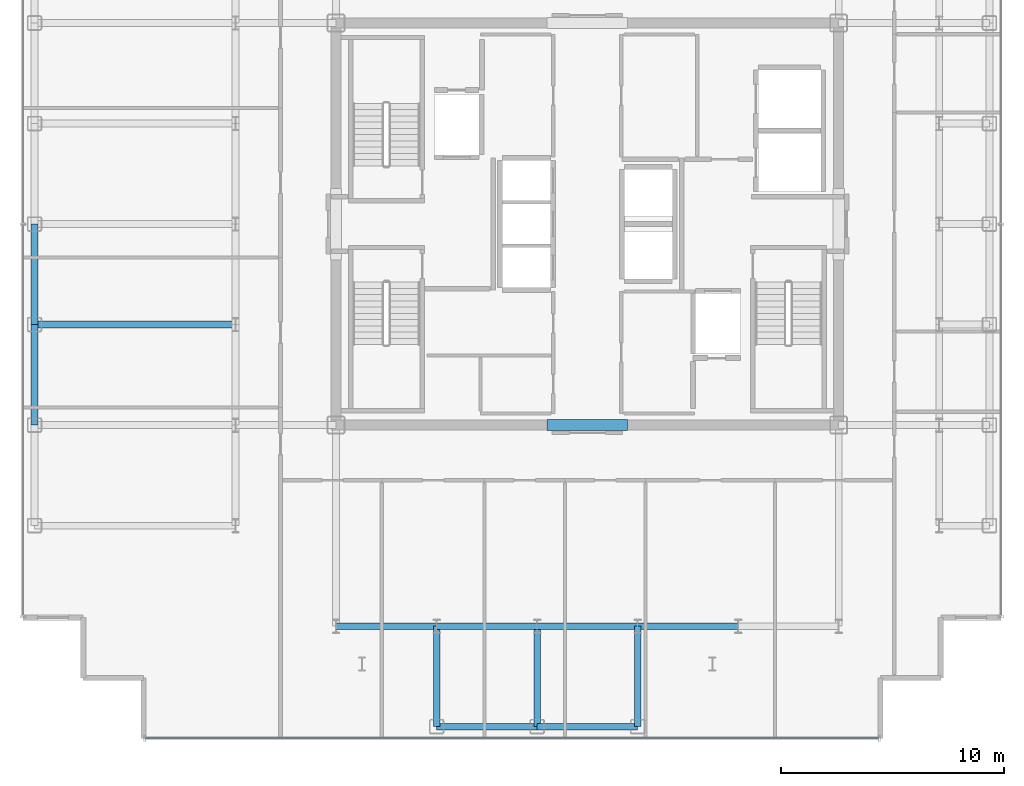
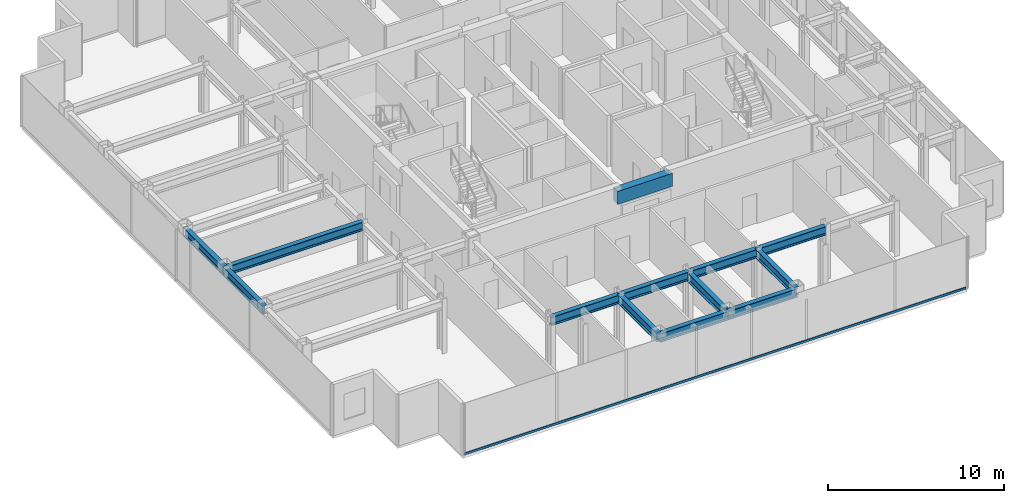
# One storey, part 3 of 18: 13 beams, 1 member, 1 element without a shape of its own.
"""IFC4 building model written with IfcOpenShell, lengths in metres."""

from ifc_helpers import new_model, si_unit, direction, frame, origin, origin_2d, place, context, subcontext, project, spatial, rectangle, hollow_rectangle, i_section, extrude, source, transform, mapped, material, layer, layer_set, material_profile, profile_set, type_object, element, aggregate, save


model = new_model("IFC4")

# Units and contexts
model_context = context("Model", 3, precision=1e-05, world=origin(), true_north=direction((0.0, 1.0)))
body_context = subcontext(model_context, "Body", "Model", "MODEL_VIEW")
ifc_project = project(units=[si_unit("LENGTHUNIT", "METRE"), si_unit("AREAUNIT", "SQUARE_METRE"), si_unit("VOLUMEUNIT", "CUBIC_METRE"), si_unit("PLANEANGLEUNIT", "RADIAN"), si_unit("MASSUNIT", "GRAM", prefix="KILO")], contexts=[model_context])

# Site, building, storey
site_placement = place(None, origin())
site = spatial("IfcSite", under=ifc_project, at=site_placement, CompositionType="ELEMENT")
building_placement = place(site_placement, origin())
building = spatial("IfcBuilding", under=site, at=building_placement, Name="Nefas-Gora Pilgrimage Tower", CompositionType="ELEMENT")
storey_placement = place(building_placement, frame((0.0, 0.0, 272.199951171875)))
storey = spatial("IfcBuildingStorey", under=building, at=storey_placement, Name="L68", CompositionType="ELEMENT", Elevation=272.199951171875)

# Beams
ifc_material_1 = material(Name="Concrete C50/60", Category="concrete")
ifc_material_profile_1 = material_profile(ifc_material_1, rectangle(XDim=0.5, YDim=0.89990234375, at=origin_2d()), Name="RC 500x900")
ifc_profile_set_1 = profile_set([ifc_material_profile_1], Name="Concrete C50/60")
beam_type_1 = type_object("IfcBeamType", Name="BM-LIN-RC900", PredefinedType="LINTEL", material=ifc_profile_set_1)
shared_shape_1 = source(origin(), body_context, "Body", "SweptSolid", [
    extrude(rectangle(XDim=0.5, YDim=0.89990234375, at=origin_2d()), origin(), (0.0, 0.0, 1.0), 3.60009765625),
])
beam_1_placement = place(storey_placement, frame((-1.800048828125, -9.0, 3.10009765625), z_axis=(1.0, 0.0, 0.0), x_axis=(0.0, 1.0, 0.0)))
element("IfcBeam", 1, at=beam_1_placement, inside=storey, type_object=beam_type_1, Name="L68 Core Coupling Lintel Beam S", PredefinedType="LINTEL", context=body_context, shape_type="MappedRepresentation", body=[
    mapped(shared_shape_1, transform((0.0, 0.0, 0.0), x_axis=(1.0, 0.0, 0.0), y_axis=(0.0, 1.0, 0.0), z_axis=(0.0, 0.0, 1.0), scale=1.0)),
])
ifc_material_2 = material(Name="Steel S355", Category="steel")
ifc_material_profile_2 = material_profile(ifc_material_2, i_section(OverallWidth=0.300048828125, OverallDepth=0.60009765625, WebThickness=0.015380859375, FlangeThickness=0.030029296875, FilletRadius=0.027099609375, at=origin_2d()), Name="HEB 600")
ifc_profile_set_2 = profile_set([ifc_material_profile_2], Name="Steel S355")
beam_type_2 = type_object("IfcBeamType", Name="BM-SPN-HEB450", PredefinedType="SPANDREL", material=ifc_profile_set_2)
shared_shape_2 = source(origin(), body_context, "Body", "SweptSolid", [
    extrude(i_section(OverallWidth=0.300048828125, OverallDepth=0.60009765625, WebThickness=0.015380859375, FlangeThickness=0.030029296875, FilletRadius=0.027099609375, at=origin_2d()), origin(), (0.0, 0.0, 1.0), 4.5),
])
for number, where, z_axis, x_axis, name in (
    (2, (-24.75, -9.0, 3.25), (0.0, 1.0, 0.0), (-1.0, 0.0, 0.0), "L68 SP-03 beam"),
    (3, (-24.75, -4.5, 3.25), (0.0, 1.0, 0.0), (-1.0, 0.0, 0.0), "L68 SP-03 beam"),
    (4, (-6.75, -22.5, 3.25), (1.0, 0.0, 0.0), (0.0, 1.0, 0.0), "L68 SP-03 beam"),
    (5, (-2.25, -22.5, 3.25), (1.0, 0.0, 0.0), (0.0, 1.0, 0.0), "L68 SP-03 beam"),
):
    element("IfcBeam", number, at=place(storey_placement, frame(where, z_axis=z_axis, x_axis=x_axis)), inside=storey, type_object=beam_type_2, Name=name, PredefinedType="SPANDREL", context=body_context, shape_type="MappedRepresentation", body=[
        mapped(shared_shape_2, transform((0.0, 0.0, 0.0), x_axis=(1.0, 0.0, 0.0), y_axis=(0.0, 1.0, 0.0), z_axis=(0.0, 0.0, 1.0), scale=1.0)),
    ])
ifc_material_profile_3 = material_profile(ifc_material_2, i_section(OverallWidth=0.300048828125, OverallDepth=0.60009765625, WebThickness=0.015380859375, FlangeThickness=0.030029296875, FilletRadius=0.027099609375, at=origin_2d()), Name="HEB 600")
ifc_profile_set_3 = profile_set([ifc_material_profile_3], Name="Steel S355")
beam_type_3 = type_object("IfcBeamType", Name="BM-GIR-HEB600", PredefinedType="BEAM", material=ifc_profile_set_3)
shared_shape_3 = source(origin(), body_context, "Body", "SweptSolid", [
    extrude(i_section(OverallWidth=0.300048828125, OverallDepth=0.60009765625, WebThickness=0.015380859375, FlangeThickness=0.030029296875, FilletRadius=0.027099609375, at=origin_2d()), origin(), (0.0, 0.0, 1.0), 9.0),
])
beam_2_placement = place(storey_placement, frame((-24.75, -4.5, 3.25), z_axis=(1.0, 0.0, 0.0), x_axis=(0.0, 1.0, 0.0)))
element("IfcBeam", 6, at=beam_2_placement, inside=storey, type_object=beam_type_3, Name="L68 G-04 beam", PredefinedType="BEAM", context=body_context, shape_type="MappedRepresentation", body=[
    mapped(shared_shape_3, transform((0.0, 0.0, 0.0), x_axis=(1.0, 0.0, 0.0), y_axis=(0.0, 1.0, 0.0), z_axis=(0.0, 0.0, 1.0), scale=1.0)),
])
shared_shape_4 = source(origin(), body_context, "Body", "SweptSolid", [
    extrude(i_section(OverallWidth=0.300048828125, OverallDepth=0.60009765625, WebThickness=0.015380859375, FlangeThickness=0.030029296875, FilletRadius=0.027099609375, at=origin_2d()), origin(), (0.0, 0.0, 1.0), 4.5),
])
for number, where, z_axis, x_axis, name in (
    (7, (-11.25, -18.0, 3.25), (1.0, 0.0, 0.0), (0.0, 1.0, 0.0), "L68 G-04 beam"),
    (8, (-6.75, -22.5, 3.25), (0.0, 1.0, 0.0), (-1.0, 0.0, 0.0), "L68 G-04 beam"),
    (9, (-6.75, -18.0, 3.25), (1.0, 0.0, 0.0), (0.0, 1.0, 0.0), "L68 G-04 beam"),
    (10, (-2.25, -22.5, 3.25), (0.0, 1.0, 0.0), (-1.0, 0.0, 0.0), "L68 G-04 beam"),
    (11, (-2.25, -18.0, 3.25), (1.0, 0.0, 0.0), (0.0, 1.0, 0.0), "L68 G-04 beam"),
    (12, (2.25, -22.5, 3.25), (0.0, 1.0, 0.0), (-1.0, 0.0, 0.0), "L68 G-04 beam"),
    (13, (2.25, -18.0, 3.25), (1.0, 0.0, 0.0), (0.0, 1.0, 0.0), "L68 G-04 beam"),
):
    element("IfcBeam", number, at=place(storey_placement, frame(where, z_axis=z_axis, x_axis=x_axis)), inside=storey, type_object=beam_type_3, Name=name, PredefinedType="BEAM", context=body_context, shape_type="MappedRepresentation", body=[
        mapped(shared_shape_4, transform((0.0, 0.0, 0.0), x_axis=(1.0, 0.0, 0.0), y_axis=(0.0, 1.0, 0.0), z_axis=(0.0, 0.0, 1.0), scale=1.0)),
    ])

# Curtain wall, member
ifc_material_3 = material(Name="Dark ceramic-fritted solar-control aluminium-glass curtain wall", Category="aluminium")
ifc_layer = layer(ifc_material_3, 0.219970703125)
ifc_layer_set = layer_set([ifc_layer], Name="Dark ceramic-fritted solar-control aluminium-glass curtain wall")
curtain_wall_type = type_object("IfcCurtainWallType", Name="CW-SYS-4", PredefinedType="NOTDEFINED", material=ifc_layer_set)
curtain_wall_placement = place(storey_placement, origin())
curtain_wall = element("IfcCurtainWall", 14, at=curtain_wall_placement, inside=storey, type_object=curtain_wall_type, Name="L68 Unitised Curtain Wall CW4", PredefinedType="NOTDEFINED")
ifc_material_4 = material(Name="Anodised architectural aluminium", Category="aluminium")
ifc_material_profile_4 = material_profile(ifc_material_4, hollow_rectangle(XDim=0.080078125, YDim=0.159912109375, WallThickness=0.00439453125, InnerFilletRadius=0.00439453125, OuterFilletRadius=0.009033203125, at=origin_2d()), Name="ALU TRANSOM 80x160")
ifc_profile_set_4 = profile_set([ifc_material_profile_4], Name="Anodised architectural aluminium")
member_type = type_object("IfcMemberType", Name="CWM-TRN-4", PredefinedType="USERDEFINED", material=ifc_profile_set_4)
shared_shape_5 = source(origin(), body_context, "Body", "SweptSolid", [
    extrude(hollow_rectangle(XDim=0.080078125, YDim=0.159912109375, WallThickness=0.00439453125, InnerFilletRadius=0.00439453125, OuterFilletRadius=0.009033203125, at=origin_2d()), origin(), (0.0, 0.0, 1.0), 32.81005859375),
])
member_placement = place(storey_placement, frame((-19.780029296875, -23.02001953125, 0.050048828125), z_axis=(1.0, 0.0, 0.0), x_axis=(0.0, 1.0, 0.0)))
member = element("IfcMember", 15, at=member_placement, type_object=member_type, Name="CW4 Spandrel Transom", ObjectType="TRANSOM", PredefinedType="USERDEFINED", context=body_context, shape_type="MappedRepresentation", body=[
    mapped(shared_shape_5, transform((0.0, 0.0, 0.0), x_axis=(1.0, 0.0, 0.0), y_axis=(0.0, 1.0, 0.0), z_axis=(0.0, 0.0, 1.0), scale=1.0)),
])
aggregate(curtain_wall, [member])

save(model, "model.ifc")
